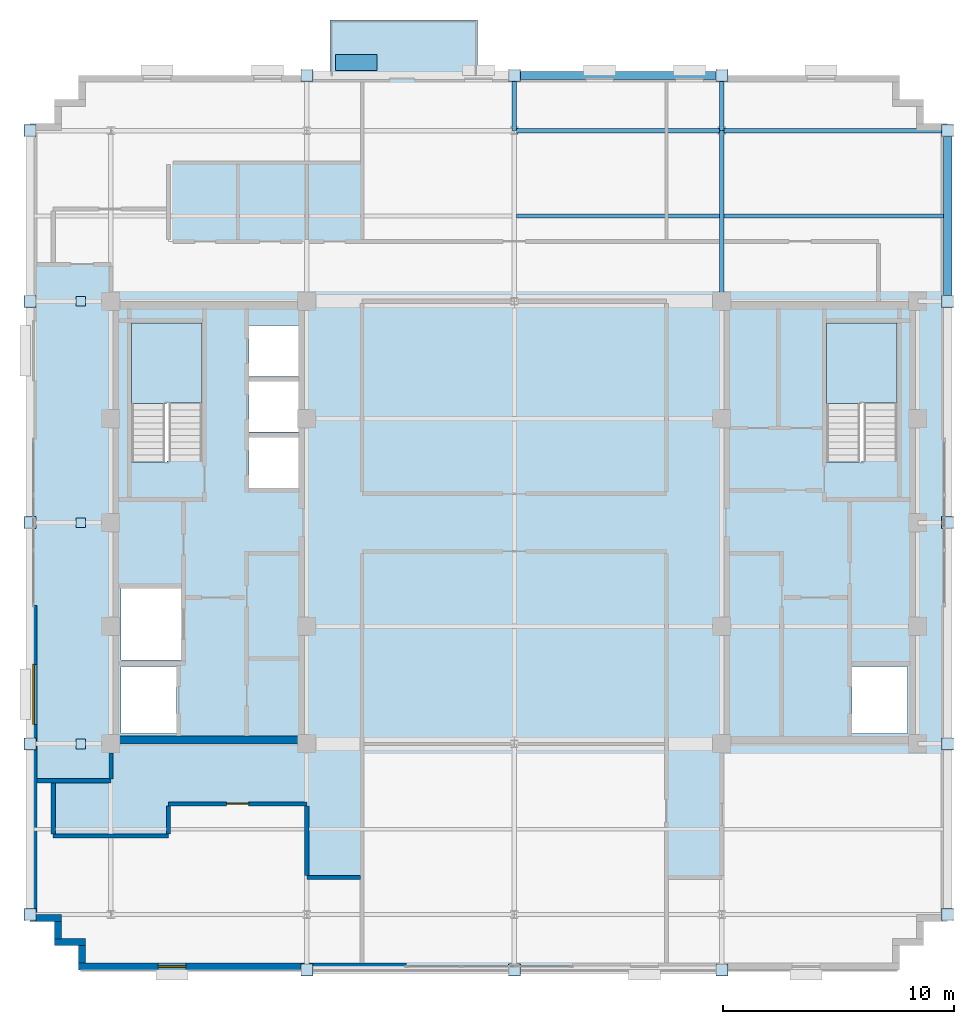
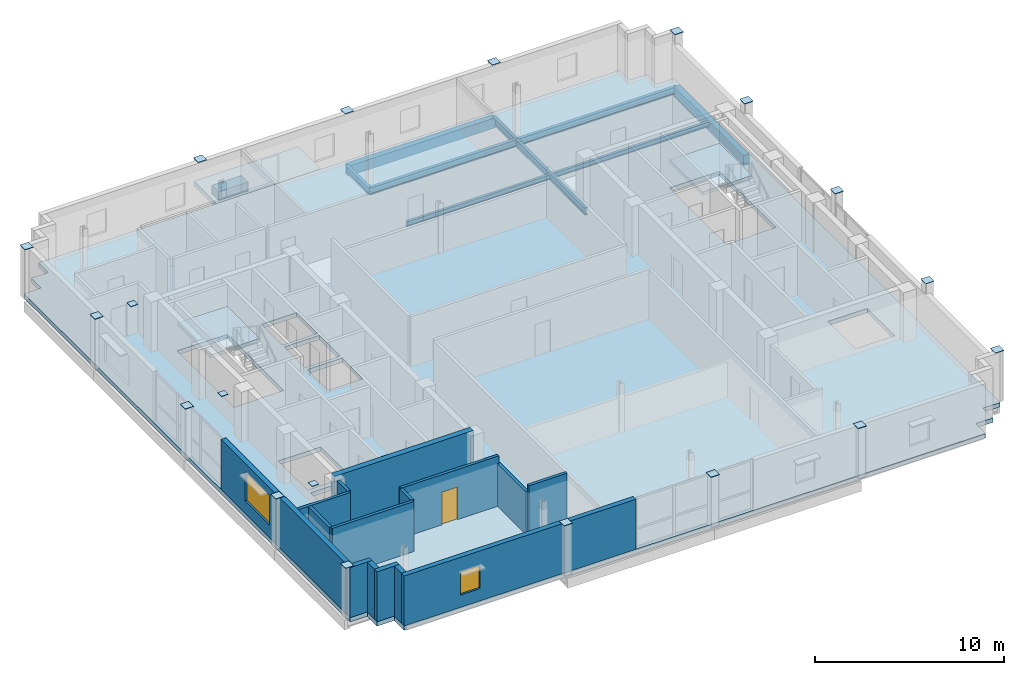
# One storey, part 5 of 15: 20 plates, 15 walls, 9 beams, 4 slabs, 2 windows, 1 door, 3 openings, 2 elements without a shape of their own.
"""IFC4 building model written with IfcOpenShell, lengths in metres."""

import ifcopenshell
import ifcopenshell.guid

model = None  # the IFC model being written
_history = None  # IfcOwnerHistory: only IFC2X3 demands one
_inside = {}  # id of a spatial element -> (the spatial element, [elements in it])
_under = {}  # id of a project, library or spatial element -> (it, [spatial elements below it])
_declared = {}  # id of a project -> (the project, [libraries it declares])
_typed = {}  # id of a type object -> (the type object, [elements of that type])
_made_of = {}  # id of a material, layer set ... -> (it, [elements and type objects made of it])


def new_model(schema):
    """Start an empty IFC model of exactly this schema.

    Asked for "IFC4X3", IfcOpenShell would pick the latest addendum, in which some entities
    have other attributes; the version numbers below select the first issue.
    IFC2X3 requires an IfcOwnerHistory on every rooted entity: one is made here for all.
    """
    global model, _history
    if schema == "IFC4X3":
        model = ifcopenshell.file(schema_version=(4, 3, 0, 0))
    else:
        model = ifcopenshell.file(schema=schema)
    _inside.clear()
    _under.clear()
    _declared.clear()
    _typed.clear()
    _made_of.clear()
    _history = None
    if model.schema == "IFC2X3":
        org = make("IfcOrganization", Name="unknown")
        user = make(
            "IfcPersonAndOrganization",
            ThePerson=make("IfcPerson", FamilyName="unknown"),
            TheOrganization=org,
        )
        app = make(
            "IfcApplication",
            ApplicationDeveloper=org,
            Version="unknown",
            ApplicationFullName="unknown",
            ApplicationIdentifier="unknown",
        )
        _history = make(
            "IfcOwnerHistory",
            OwningUser=user,
            OwningApplication=app,
            ChangeAction="ADDED",
            CreationDate=0,
        )
    return model


def make(cls, **values):
    """One entity of the class cls with the attributes given. An attribute that is None is left unset."""
    return model.create_entity(
        cls, **{name: value for name, value in values.items() if value is not None}
    )


def rooted(cls, **values):
    """An entity with a GlobalId (a new one), such as an element, a storey or a relation."""
    return make(cls, GlobalId=ifcopenshell.guid.new(), OwnerHistory=_history, **values)


def si_unit(unit_type, name, prefix=None):
    """IfcSIUnit, for example si_unit("LENGTHUNIT", "METRE", prefix="MILLI")."""
    return make("IfcSIUnit", UnitType=unit_type, Prefix=prefix, Name=name)


def assignment(units):
    """IfcUnitAssignment: the units of a project."""
    return None if units is None else make("IfcUnitAssignment", Units=units)


def point(xyz):
    """IfcCartesianPoint."""
    return None if xyz is None else make("IfcCartesianPoint", Coordinates=xyz)


def direction(xyz):
    """IfcDirection."""
    return None if xyz is None else make("IfcDirection", DirectionRatios=xyz)


def frame(location, z_axis=None, x_axis=None):
    """IfcAxis2Placement3D, a coordinate frame: its origin and axes. An axis left out is left unset."""
    return make(
        "IfcAxis2Placement3D",
        Location=point(location),
        Axis=direction(z_axis),
        RefDirection=direction(x_axis),
    )


def frame_2d(location, x_axis=None):
    """IfcAxis2Placement2D, a coordinate frame in the plane: its origin and x axis."""
    return make(
        "IfcAxis2Placement2D", Location=point(location), RefDirection=direction(x_axis)
    )


def origin():
    """The frame at (0, 0, 0) with its axes left unset."""
    return frame((0.0, 0.0, 0.0))


def origin_2d():
    """The frame at (0, 0) in the plane with its x axis left unset."""
    return frame_2d((0.0, 0.0))


def place(relative_to, where):
    """IfcLocalPlacement: puts the frame where relative to a parent placement (None: the world)."""
    return make(
        "IfcLocalPlacement", PlacementRelTo=relative_to, RelativePlacement=where
    )


def context(
    kind, dimensions, precision=None, world=None, true_north=None, identifier=None
):
    """IfcGeometricRepresentationContext, for example the 3D "Model" context."""
    return make(
        "IfcGeometricRepresentationContext",
        ContextIdentifier=identifier,
        ContextType=kind,
        CoordinateSpaceDimension=dimensions,
        Precision=precision,
        WorldCoordinateSystem=world,
        TrueNorth=true_north,
    )


def subcontext(parent, identifier, kind, view, scale=None):
    """IfcGeometricRepresentationSubContext, for example "Body" below "Model"."""
    return make(
        "IfcGeometricRepresentationSubContext",
        ContextIdentifier=identifier,
        ContextType=kind,
        ParentContext=parent,
        TargetScale=scale,
        TargetView=view,
    )


def project(units=None, contexts=None):
    """IfcProject with its units and contexts."""
    return rooted(
        "IfcProject",
        Name="project",
        RepresentationContexts=contexts,
        UnitsInContext=assignment(units),
    )


def spatial(cls, under=None, at=None, **own):
    """A site, building, storey or space (cls), placed at a placement, below another one or the project."""
    s = rooted(cls, ObjectPlacement=at, **own)
    if under is not None:
        _under.setdefault(under.id(), (under, []))[1].append(s)
    return s


def polyline(points):
    """IfcPolyline through the points."""
    return make("IfcPolyline", Points=[point(p) for p in points])


def profile(cls, at=None, kind="AREA", **sizes):
    """A parametric profile (cls). Its sizes go by their IFC names, for example OverallWidth=200.0."""
    return make(cls, ProfileType=kind, Position=at, **sizes)


def rectangle(**sizes):
    """IfcRectangleProfileDef."""
    return profile("IfcRectangleProfileDef", **sizes)


def i_section(**sizes):
    """IfcIShapeProfileDef."""
    return profile("IfcIShapeProfileDef", **sizes)


def outline(outer, holes=None, kind="AREA"):
    """IfcArbitraryClosedProfileDef: a profile drawn as a closed curve; with holes, ...WithVoids."""
    if holes is None:
        return make("IfcArbitraryClosedProfileDef", ProfileType=kind, OuterCurve=outer)
    return make(
        "IfcArbitraryProfileDefWithVoids",
        ProfileType=kind,
        OuterCurve=outer,
        InnerCurves=holes,
    )


def extrude(swept, where, along, depth):
    """IfcExtrudedAreaSolid: the profile swept, set in the frame where, extruded along a direction by depth."""
    return make(
        "IfcExtrudedAreaSolid",
        SweptArea=swept,
        Position=where,
        ExtrudedDirection=direction(along),
        Depth=depth,
    )


def shape(context_of_items, identifier, shape_type, items):
    """IfcShapeRepresentation: the items that make up one representation, for example the "Body"."""
    return make(
        "IfcShapeRepresentation",
        ContextOfItems=context_of_items,
        RepresentationIdentifier=identifier,
        RepresentationType=shape_type,
        Items=items,
    )


def source(mapping_origin, context_of_items, identifier, shape_type, items):
    """IfcRepresentationMap: a shape defined once, which mapped items show again and again."""
    return make(
        "IfcRepresentationMap",
        MappingOrigin=mapping_origin,
        MappedRepresentation=shape(context_of_items, identifier, shape_type, items),
    )


def transform(
    local_origin,
    x_axis=None,
    y_axis=None,
    z_axis=None,
    scale=None,
    scale2=None,
    scale3=None,
    uniform=True,
):
    """IfcCartesianTransformationOperator3D, or its non-uniform kind. x_axis, y_axis, z_axis: its Axis1, 2, 3."""
    if uniform:
        return make(
            "IfcCartesianTransformationOperator3D",
            Axis1=direction(x_axis),
            Axis2=direction(y_axis),
            LocalOrigin=point(local_origin),
            Scale=scale,
            Axis3=direction(z_axis),
        )
    return make(
        "IfcCartesianTransformationOperator3DnonUniform",
        Axis1=direction(x_axis),
        Axis2=direction(y_axis),
        LocalOrigin=point(local_origin),
        Scale=scale,
        Axis3=direction(z_axis),
        Scale2=scale2,
        Scale3=scale3,
    )


def mapped(mapping_source, mapping_target):
    """IfcMappedItem: shows the shape of a source again, moved by a transform."""
    return make(
        "IfcMappedItem", MappingSource=mapping_source, MappingTarget=mapping_target
    )


def material(Name=None, Category=None):
    """IfcMaterial."""
    return make("IfcMaterial", Name=Name, Category=Category)


def layer(
    of_material, thickness, ventilated=None, Name=None, Category=None, Priority=None
):
    """IfcMaterialLayer: one layer of a wall or slab, of a material (None: an air gap)."""
    return make(
        "IfcMaterialLayer",
        Material=of_material,
        LayerThickness=thickness,
        IsVentilated=ventilated,
        Name=Name,
        Category=Category,
        Priority=Priority,
    )


def layer_set(layers, Name=None):
    """IfcMaterialLayerSet."""
    return make("IfcMaterialLayerSet", MaterialLayers=layers, LayerSetName=Name)


def material_profile(
    of_material, cross_section, Name=None, Category=None, Priority=None
):
    """IfcMaterialProfile: a cross section and its material."""
    return make(
        "IfcMaterialProfile",
        Name=Name,
        Material=of_material,
        Profile=cross_section,
        Priority=Priority,
        Category=Category,
    )


def profile_set(profiles, Name=None, composite=None):
    """IfcMaterialProfileSet."""
    return make(
        "IfcMaterialProfileSet",
        Name=Name,
        MaterialProfiles=profiles,
        CompositeProfile=composite,
    )


def made_of(thing, what):
    """Note that an element or type object is made of a material, layer set ...; save() writes the relation."""
    if what is not None:
        _made_of.setdefault(what.id(), (what, []))[1].append(thing)
    return thing


def type_object(cls, material=None, **own):
    """A type object (cls), such as IfcWallType, which elements share."""
    return made_of(rooted(cls, **own), material)


def type_shapes(of_type, sources):
    """Give a type object the sources (RepresentationMaps) that its elements show as mapped items."""
    of_type.RepresentationMaps = sources


def element(
    cls,
    number,
    at=None,
    inside=None,
    cuts=None,
    type_object=None,
    material=None,
    context=None,
    identifier="Body",
    shape_type=None,
    held_by="IfcProductDefinitionShape",
    body=None,
    shapes=None,
    **own,
):
    """One element of the class cls, such as IfcWall. Its Tag is "e" and its number.

    at: its placement. inside: the storey or other place that contains it. cuts: it is an
    opening in that element (IfcRelVoidsElement). A single representation is given by context,
    identifier, shape_type and body (its items); several are given by shapes. held_by: the class
    of the entity that holds the representations. save() writes the other relations.
    """
    e = rooted(cls, Tag="e%d" % number, ObjectPlacement=at, **own)
    if body is not None:
        shapes = [shape(context, identifier, shape_type, body)]
    if shapes is not None:
        e.Representation = make(held_by, Representations=shapes)
    if inside is not None:
        _inside.setdefault(inside.id(), (inside, []))[1].append(e)
    if cuts is not None:
        rooted(
            "IfcRelVoidsElement", RelatingBuildingElement=cuts, RelatedOpeningElement=e
        )
    if type_object is not None:
        _typed.setdefault(type_object.id(), (type_object, []))[1].append(e)
    return made_of(e, material)


def fill(opening, filler):
    """IfcRelFillsElement: the door or window that sits in an opening."""
    return rooted(
        "IfcRelFillsElement",
        RelatingOpeningElement=opening,
        RelatedBuildingElement=filler,
    )


def aggregate(whole, parts):
    """IfcRelAggregates: a whole, such as a stair, and the parts it consists of."""
    return rooted("IfcRelAggregates", RelatingObject=whole, RelatedObjects=parts)


def save(model, path):
    """Write the relations noted so far, then the file.

    IfcRelAggregates (storeys below a building ...), IfcRelContainedInSpatialStructure (elements
    in a storey), IfcRelDefinesByType, IfcRelAssociatesMaterial and IfcRelDeclares: one each for
    every whole, place, type object, material and project.
    """
    for whole, parts in _under.values():
        aggregate(whole, parts)
    for where, things in _inside.values():
        rooted(
            "IfcRelContainedInSpatialStructure",
            RelatedElements=things,
            RelatingStructure=where,
        )
    for kind, things in _typed.values():
        rooted("IfcRelDefinesByType", RelatedObjects=things, RelatingType=kind)
    for what, things in _made_of.values():
        rooted("IfcRelAssociatesMaterial", RelatedObjects=things, RelatingMaterial=what)
    for by, libraries in _declared.values():
        rooted("IfcRelDeclares", RelatingContext=by, RelatedDefinitions=libraries)
    model.write(path)


model = new_model("IFC4")

# Units and contexts
model_context = context("Model", 3, precision=1e-05, world=origin(), true_north=direction((0.0, 1.0)))
body_context = subcontext(model_context, "Body", "Model", "MODEL_VIEW")
ifc_project = project(units=[si_unit("LENGTHUNIT", "METRE"), si_unit("AREAUNIT", "SQUARE_METRE"), si_unit("VOLUMEUNIT", "CUBIC_METRE"), si_unit("PLANEANGLEUNIT", "RADIAN"), si_unit("MASSUNIT", "GRAM", prefix="KILO")], contexts=[model_context])

# Site, building, storey
site_placement = place(None, origin())
site = spatial("IfcSite", under=ifc_project, at=site_placement, CompositionType="ELEMENT")
building_placement = place(site_placement, origin())
building = spatial("IfcBuilding", under=site, at=building_placement, Name="Nuvemarco Arch Tower", CompositionType="ELEMENT")
storey_placement = place(building_placement, frame((0.0, 0.0, 283.5)))
storey = spatial("IfcBuildingStorey", under=building, at=storey_placement, Name="L75", CompositionType="ELEMENT", Elevation=283.5)

# Beams
ifc_material_1 = material(Name="Steel S355", Category="steel")
ifc_material_profile_1 = material_profile(ifc_material_1, i_section(OverallWidth=0.19189453125, OverallDepth=0.462890625, WebThickness=0.010498046875, FlangeThickness=0.017578125, FilletRadius=0.014892578125, at=origin_2d()), Name="W460x89")
ifc_profile_set_1 = profile_set([ifc_material_profile_1], Name="Steel S355")
beam_type_1 = type_object("IfcBeamType", Name="BM-GIRD-460", PredefinedType="BEAM", material=ifc_profile_set_1)
beam_1_placement = place(storey_placement, frame((0.0, 17.0, -0.511474609375), z_axis=(0.0, 1.0, 0.0), x_axis=(-1.0, 0.0, 0.0)))
element("IfcBeam", 1, at=beam_1_placement, inside=storey, type_object=beam_type_1, Name="L75 structural beam BGNS_L75_0_+0.0_+17.0", PredefinedType="BEAM", context=body_context, shape_type="SweptSolid", body=[
    extrude(i_section(OverallWidth=0.19189453125, OverallDepth=0.462890625, WebThickness=0.010498046875, FlangeThickness=0.017578125, FilletRadius=0.014892578125, at=origin_2d()), origin(), (0.0, 0.0, 1.0), 2.39990234375),
])
beam_2_placement = place(storey_placement, frame((9.0, 9.60009765625, -0.511474609375), z_axis=(0.0, 1.0, 0.0), x_axis=(-1.0, 0.0, 0.0)))
element("IfcBeam", 2, at=beam_2_placement, inside=storey, type_object=beam_type_1, Name="L75 structural beam BGNS_L75_0_+9.0_+9.6", PredefinedType="BEAM", context=body_context, shape_type="SweptSolid", body=[
    extrude(i_section(OverallWidth=0.19189453125, OverallDepth=0.462890625, WebThickness=0.010498046875, FlangeThickness=0.017578125, FilletRadius=0.014892578125, at=origin_2d()), origin(), (0.0, 0.0, 1.0), 7.39990234375),
])
beam_3_placement = place(storey_placement, frame((9.0, 17.0, -0.511474609375), z_axis=(0.0, 1.0, 0.0), x_axis=(-1.0, 0.0, 0.0)))
element("IfcBeam", 3, at=beam_3_placement, inside=storey, type_object=beam_type_1, Name="L75 structural beam BGNS_L75_0_+9.0_+17.0", PredefinedType="BEAM", context=body_context, shape_type="SweptSolid", body=[
    extrude(i_section(OverallWidth=0.19189453125, OverallDepth=0.462890625, WebThickness=0.010498046875, FlangeThickness=0.017578125, FilletRadius=0.014892578125, at=origin_2d()), origin(), (0.0, 0.0, 1.0), 2.39990234375),
])
beam_4_placement = place(storey_placement, frame((0.0, 17.0, -0.511474609375), z_axis=(1.0, 0.0, 0.0), x_axis=(0.0, 1.0, 0.0)))
element("IfcBeam", 4, at=beam_4_placement, inside=storey, type_object=beam_type_1, Name="L75 structural beam BGEW_L75_0_+17.0_+0.0", PredefinedType="BEAM", context=body_context, shape_type="SweptSolid", body=[
    extrude(i_section(OverallWidth=0.19189453125, OverallDepth=0.462890625, WebThickness=0.010498046875, FlangeThickness=0.017578125, FilletRadius=0.014892578125, at=origin_2d()), origin(), (0.0, 0.0, 1.0), 9.0),
])
beam_5_placement = place(storey_placement, frame((9.0, 17.0, -0.511474609375), z_axis=(1.0, 0.0, 0.0), x_axis=(0.0, 1.0, 0.0)))
element("IfcBeam", 5, at=beam_5_placement, inside=storey, type_object=beam_type_1, Name="L75 structural beam BGEW_L75_0_+17.0_+9.0", PredefinedType="BEAM", context=body_context, shape_type="SweptSolid", body=[
    extrude(i_section(OverallWidth=0.19189453125, OverallDepth=0.462890625, WebThickness=0.010498046875, FlangeThickness=0.017578125, FilletRadius=0.014892578125, at=origin_2d()), origin(), (0.0, 0.0, 1.0), 9.800048828125),
])
ifc_material_profile_2 = material_profile(ifc_material_1, i_section(OverallWidth=0.1669921875, OverallDepth=0.31689453125, WebThickness=0.007568359375, FlangeThickness=0.01318359375, FilletRadius=0.010009765625, at=origin_2d()), Name="W310x52")
ifc_profile_set_2 = profile_set([ifc_material_profile_2], Name="Steel S355")
beam_type_2 = type_object("IfcBeamType", Name="BM-JOIST-310", PredefinedType="JOIST", material=ifc_profile_set_2)
beam_6_placement = place(storey_placement, frame((0.095947265625, 13.300048828125, -0.4384765625), z_axis=(1.0, 0.0, 0.0), x_axis=(0.0, 1.0, 0.0)))
element("IfcBeam", 6, at=beam_6_placement, inside=storey, type_object=beam_type_2, Name="L75 structural beam BJ_L75_0_+13.3_+0.0", PredefinedType="JOIST", context=body_context, shape_type="SweptSolid", body=[
    extrude(i_section(OverallWidth=0.1669921875, OverallDepth=0.31689453125, WebThickness=0.007568359375, FlangeThickness=0.01318359375, FilletRadius=0.010009765625, at=origin_2d()), origin(), (0.0, 0.0, 1.0), 8.80810546875),
])
beam_7_placement = place(storey_placement, frame((9.095947265625, 13.300048828125, -0.4384765625), z_axis=(1.0, 0.0, 0.0), x_axis=(0.0, 1.0, 0.0)))
element("IfcBeam", 7, at=beam_7_placement, inside=storey, type_object=beam_type_2, Name="L75 structural beam BJ_L75_0_+13.3_+9.0", PredefinedType="JOIST", context=body_context, shape_type="SweptSolid", body=[
    extrude(i_section(OverallWidth=0.1669921875, OverallDepth=0.31689453125, WebThickness=0.007568359375, FlangeThickness=0.01318359375, FilletRadius=0.010009765625, at=origin_2d()), origin(), (0.0, 0.0, 1.0), 9.529052734375),
])
ifc_material_2 = material(Name="Precast concrete C45/55", Category="concrete")
ifc_material_profile_3 = material_profile(ifc_material_2, rectangle(XDim=0.35009765625, YDim=0.64990234375, at=origin_2d()), Name="PC-SP-350x650")
ifc_profile_set_3 = profile_set([ifc_material_profile_3], Name="Precast concrete C45/55")
beam_type_3 = type_object("IfcBeamType", Name="BM-SPAN-RC", PredefinedType="SPANDREL", material=ifc_profile_set_3)
beam_8_placement = place(storey_placement, frame((18.800048828125, 9.60009765625, -0.60498046875), z_axis=(0.0, 1.0, 0.0), x_axis=(-1.0, 0.0, 0.0)))
element("IfcBeam", 8, at=beam_8_placement, inside=storey, type_object=beam_type_3, Name="L75 structural beam BGNS_L75_0_+18.8_+9.6", PredefinedType="SPANDREL", context=body_context, shape_type="SweptSolid", body=[
    extrude(rectangle(XDim=0.35009765625, YDim=0.64990234375, at=origin_2d()), origin(), (0.0, 0.0, 1.0), 7.39990234375),
])
beam_9_placement = place(storey_placement, frame((0.0, 19.39990234375, -0.60498046875), z_axis=(1.0, 0.0, 0.0), x_axis=(0.0, 1.0, 0.0)))
element("IfcBeam", 9, at=beam_9_placement, inside=storey, type_object=beam_type_3, Name="L75 structural beam BGEW_L75_0_+19.4_+0.0", PredefinedType="SPANDREL", context=body_context, shape_type="SweptSolid", body=[
    extrude(rectangle(XDim=0.35009765625, YDim=0.64990234375, at=origin_2d()), origin(), (0.0, 0.0, 1.0), 9.0),
])

# Slab
ifc_material_3 = material(Name="Concrete C50/60", Category="concrete")
ifc_layer_1 = layer(ifc_material_3, 0.280029296875, Name="SL-FLR-280")
ifc_layer_set_1 = layer_set([ifc_layer_1], Name="Concrete C50/60")
slab_type_1 = type_object("IfcSlabType", Name="SL-FLR-280", PredefinedType="FLOOR", material=ifc_layer_set_1)
slab_1_placement = place(storey_placement, frame((0.0, 0.0, -0.280029296875)))
element("IfcSlab", 10, at=slab_1_placement, inside=storey, type_object=slab_type_1, Name="L75 structural floor slab", PredefinedType="FLOOR", context=body_context, shape_type="SweptSolid", body=[
    extrude(outline(polyline([(-18.89990234375, -19.39990234375), (16.699951171875, -19.39990234375), (16.699951171875, -18.35009765625), (17.75, -18.35009765625), (17.75, -17.300048828125), (18.800048828125, -17.300048828125), (18.800048828125, 17.300048828125), (17.75, 17.300048828125), (17.75, 18.35009765625), (16.699951171875, 18.35009765625), (16.699951171875, 19.39990234375), (-18.89990234375, 19.39990234375), (-18.89990234375, 18.35009765625), (-19.949951171875, 18.35009765625), (-19.949951171875, 17.300048828125), (-21.0, 17.300048828125), (-21.0, -17.300048828125), (-19.949951171875, -17.300048828125), (-19.949951171875, -18.35009765625), (-18.89990234375, -18.35009765625), (-18.89990234375, -19.39990234375)]), holes=[polyline([(-13.5400390625, 2.669921875), (-13.5400390625, 8.64990234375), (-16.60009765625, 8.64990234375), (-16.60009765625, 2.630615234375), (-15.070068359375, 2.630615234375), (-15.070068359375, 2.669921875), (-13.5400390625, 2.669921875)]), polyline([(16.60009765625, 2.669921875), (16.60009765625, 8.64990234375), (13.5400390625, 8.64990234375), (13.5400390625, 2.630615234375), (15.070068359375, 2.630615234375), (15.070068359375, 2.669921875), (16.60009765625, 2.669921875)]), polyline([(-17.050048828125, -9.14990234375), (-14.64990234375, -9.14990234375), (-14.64990234375, -6.25), (-17.050048828125, -6.25), (-17.050048828125, -9.14990234375)]), polyline([(-17.050048828125, -5.949951171875), (-14.449951171875, -5.949951171875), (-14.449951171875, -2.85009765625), (-17.050048828125, -2.85009765625), (-17.050048828125, -5.949951171875)]), polyline([(-11.5, 1.5), (-9.35009765625, 1.5), (-9.35009765625, 3.699951171875), (-11.5, 3.699951171875), (-11.5, 1.5)]), polyline([(-11.5, 3.919921875), (-9.35009765625, 3.919921875), (-9.35009765625, 6.1201171875), (-11.5, 6.1201171875), (-11.5, 3.919921875)]), polyline([(-11.5, 6.340087890625), (-9.35009765625, 6.340087890625), (-9.35009765625, 8.5400390625), (-11.5, 8.5400390625), (-11.5, 6.340087890625)]), polyline([(14.64990234375, -9.14990234375), (17.050048828125, -9.14990234375), (17.050048828125, -6.25), (14.64990234375, -6.25), (14.64990234375, -9.14990234375)])]), origin(), (0.0, 0.0, 1.0), 0.280029296875),
])

# Stair, slab
stair_type = type_object("IfcStairType", Name="ST-CORE-20R", PredefinedType="HALF_TURN_STAIR", material=ifc_material_2)
stair_1_placement = place(storey_placement, origin())
stair_1 = element("IfcStair", 11, at=stair_1_placement, inside=storey, type_object=stair_type, Name="L75 Protected Exit Stair ST-1", PredefinedType="HALF_TURN_STAIR")
ifc_layer_2 = layer(ifc_material_2, 0.199951171875, Name="SL-LANDING-200")
ifc_layer_set_2 = layer_set([ifc_layer_2], Name="Precast concrete C45/55")
slab_type_2 = type_object("IfcSlabType", Name="SL-LANDING-200", PredefinedType="LANDING", material=ifc_layer_set_2)
slab_2_placement = place(storey_placement, frame((0.0, 0.0, 1.625)))
slab_2 = element("IfcSlab", 12, at=slab_2_placement, type_object=slab_type_2, Name="ST-20R landing 1", PredefinedType="LANDING", context=body_context, shape_type="SweptSolid", body=[
    extrude(outline(polyline([(-13.5400390625, 5.189453125), (-13.5400390625, 8.64990234375), (-16.60009765625, 8.64990234375), (-16.60009765625, 5.169921875), (-15.070068359375, 5.169921875), (-15.070068359375, 5.189453125), (-13.5400390625, 5.189453125)])), origin(), (0.0, 0.0, 1.0), 0.199951171875),
])
aggregate(stair_1, [slab_2])

stair_2_placement = place(storey_placement, origin())
stair_2 = element("IfcStair", 13, at=stair_2_placement, inside=storey, type_object=stair_type, Name="L75 Protected Exit Stair ST-2", PredefinedType="HALF_TURN_STAIR")
slab_3_placement = place(storey_placement, frame((0.0, 0.0, 1.625)))
slab_3 = element("IfcSlab", 14, at=slab_3_placement, type_object=slab_type_2, Name="ST-20R landing 1", PredefinedType="LANDING", context=body_context, shape_type="SweptSolid", body=[
    extrude(outline(polyline([(16.60009765625, 5.189453125), (16.60009765625, 8.64990234375), (13.5400390625, 8.64990234375), (13.5400390625, 5.169921875), (15.070068359375, 5.169921875), (15.070068359375, 5.189453125), (16.60009765625, 5.189453125)])), origin(), (0.0, 0.0, 1.0), 0.199951171875),
])
aggregate(stair_2, [slab_3])

# Slab
ifc_layer_3 = layer(ifc_material_3, 0.294921875, Name="SL-TR4")
ifc_layer_set_3 = layer_set([ifc_layer_3], Name="Concrete C50/60")
slab_type_3 = type_object("IfcSlabType", Name="SL-TR4", PredefinedType="FLOOR", material=ifc_layer_set_3)
slab_4_placement = place(storey_placement, frame((0.0, 0.0, -0.294921875)))
element("IfcSlab", 15, at=slab_4_placement, inside=storey, type_object=slab_type_3, Name="L75 outdoor spiral terrace slab 1", PredefinedType="FLOOR", context=body_context, shape_type="SweptSolid", body=[
    extrude(outline(polyline([(-8.0, 19.39990234375), (-1.60009765625, 19.39990234375), (-1.60009765625, 21.800048828125), (-8.0, 21.800048828125), (-8.0, 19.39990234375)])), origin(), (0.0, 0.0, 1.0), 0.294921875),
])

# Plates
ifc_layer_4 = layer(ifc_material_1, 0.030029296875, Name="PL-CAP-400-EXT")
ifc_layer_set_4 = layer_set([ifc_layer_4], Name="Steel S355")
plate_type_1 = type_object("IfcPlateType", Name="PL-CAP-400-EXT", PredefinedType="SHEET", material=ifc_layer_set_4)
shared_shape_1 = source(origin(), body_context, "Body", "SweptSolid", [
    extrude(rectangle(XDim=0.419921875, YDim=0.419921875, at=origin_2d()), origin(), (0.0, 0.0, 1.0), 0.030029296875),
])
type_shapes(plate_type_1, [shared_shape_1])
for number, where, z_axis, x_axis, name in (
    (16, (-18.800048828125, -9.60009765625, 3.23486328125), (0.0, 0.0, 1.0), (1.0, 0.0, 0.0), "Hollow steel end-cap plate COL-L76-CX_-18.8_-9.6_BOT"),
    (17, (-18.800048828125, 0.0, 3.23486328125), (0.0, 0.0, 1.0), (1.0, 0.0, 0.0), "Hollow steel end-cap plate COL-L76-CX_-18.8_+0.0_BOT"),
    (18, (-18.800048828125, 9.60009765625, 3.23486328125), (0.0, 0.0, 1.0), (1.0, 0.0, 0.0), "Hollow steel end-cap plate COL-L76-CX_-18.8_+9.6_BOT"),
):
    element("IfcPlate", number, at=place(storey_placement, frame(where, z_axis=z_axis, x_axis=x_axis)), inside=storey, type_object=plate_type_1, Name=name, PredefinedType="SHEET", context=body_context, shape_type="MappedRepresentation", body=[
        mapped(shared_shape_1, transform((0.0, 0.0, 0.0), scale=1.0)),
    ])
ifc_layer_5 = layer(ifc_material_1, 0.030029296875, Name="PL-CAP-500-EXT")
ifc_layer_set_5 = layer_set([ifc_layer_5], Name="Steel S355")
plate_type_2 = type_object("IfcPlateType", Name="PL-CAP-500-EXT", PredefinedType="SHEET", material=ifc_layer_set_5)
shared_shape_2 = source(origin(), body_context, "Body", "SweptSolid", [
    extrude(rectangle(XDim=0.52001953125, YDim=0.52001953125, at=origin_2d()), origin(), (0.0, 0.0, 1.0), 0.030029296875),
])
type_shapes(plate_type_2, [shared_shape_2])
for number, where, z_axis, x_axis, name in (
    (19, (-21.0, -17.0, 3.23486328125), (0.0, 0.0, 1.0), (1.0, 0.0, 0.0), "Hollow steel end-cap plate COL-L75-CX_-21.0_-17.0_TOP"),
    (20, (-21.0, -9.60009765625, 3.23486328125), (0.0, 0.0, 1.0), (1.0, 0.0, 0.0), "Hollow steel end-cap plate COL-L75-CX_-21.0_-9.6_TOP"),
    (21, (-21.0, 0.0, 3.23486328125), (0.0, 0.0, 1.0), (1.0, 0.0, 0.0), "Hollow steel end-cap plate COL-L75-CX_-21.0_+0.0_TOP"),
    (22, (-21.0, 9.60009765625, 3.23486328125), (0.0, 0.0, 1.0), (1.0, 0.0, 0.0), "Hollow steel end-cap plate COL-L75-CX_-21.0_+9.6_TOP"),
    (23, (-21.0, 17.0, 3.23486328125), (0.0, 0.0, 1.0), (1.0, 0.0, 0.0), "Hollow steel end-cap plate COL-L75-CX_-21.0_+17.0_TOP"),
    (24, (18.800048828125, -17.0, 3.23486328125), (0.0, 0.0, 1.0), (1.0, 0.0, 0.0), "Hollow steel end-cap plate COL-L75-CX_+18.8_-17.0_TOP"),
    (25, (18.800048828125, -9.60009765625, 3.23486328125), (0.0, 0.0, 1.0), (1.0, 0.0, 0.0), "Hollow steel end-cap plate COL-L75-CX_+18.8_-9.6_TOP"),
    (26, (18.800048828125, 0.0, 3.23486328125), (0.0, 0.0, 1.0), (1.0, 0.0, 0.0), "Hollow steel end-cap plate COL-L75-CX_+18.8_+0.0_TOP"),
    (27, (18.800048828125, 9.60009765625, 3.23486328125), (0.0, 0.0, 1.0), (1.0, 0.0, 0.0), "Hollow steel end-cap plate COL-L75-CX_+18.8_+9.6_TOP"),
    (28, (18.800048828125, 17.0, 3.23486328125), (0.0, 0.0, 1.0), (1.0, 0.0, 0.0), "Hollow steel end-cap plate COL-L75-CX_+18.8_+17.0_TOP"),
    (29, (-9.0, -19.39990234375, 3.23486328125), (0.0, 0.0, 1.0), (1.0, 0.0, 0.0), "Hollow steel end-cap plate COL-L75-CY_-9.0_-19.4_TOP"),
    (30, (0.0, -19.39990234375, 3.23486328125), (0.0, 0.0, 1.0), (1.0, 0.0, 0.0), "Hollow steel end-cap plate COL-L75-CY_+0.0_-19.4_TOP"),
    (31, (9.0, -19.39990234375, 3.23486328125), (0.0, 0.0, 1.0), (1.0, 0.0, 0.0), "Hollow steel end-cap plate COL-L75-CY_+9.0_-19.4_TOP"),
    (32, (-9.0, 19.39990234375, 3.23486328125), (0.0, 0.0, 1.0), (1.0, 0.0, 0.0), "Hollow steel end-cap plate COL-L75-CY_-9.0_+19.4_TOP"),
    (33, (0.0, 19.39990234375, 3.23486328125), (0.0, 0.0, 1.0), (1.0, 0.0, 0.0), "Hollow steel end-cap plate COL-L75-CY_+0.0_+19.4_TOP"),
    (34, (9.0, 19.39990234375, 3.23486328125), (0.0, 0.0, 1.0), (1.0, 0.0, 0.0), "Hollow steel end-cap plate COL-L75-CY_+9.0_+19.4_TOP"),
):
    element("IfcPlate", number, at=place(storey_placement, frame(where, z_axis=z_axis, x_axis=x_axis)), inside=storey, type_object=plate_type_2, Name=name, PredefinedType="SHEET", context=body_context, shape_type="MappedRepresentation", body=[
        mapped(shared_shape_2, transform((0.0, 0.0, 0.0), scale=1.0)),
    ])
ifc_layer_6 = layer(ifc_material_2, 0.550048828125, Name="Tree Balcony Structural Planter")
ifc_layer_set_6 = layer_set([ifc_layer_6], Name="Precast concrete C45/55")
plate_type_3 = type_object("IfcPlateType", Name="Tree Balcony Structural Planter", PredefinedType="USERDEFINED", material=ifc_layer_set_6)
shared_shape_3 = source(origin(), body_context, "Body", "SweptSolid", [
    extrude(rectangle(XDim=1.800048828125, YDim=0.699951171875, at=origin_2d()), origin(), (0.0, 0.0, 1.0), 0.550048828125),
])
type_shapes(plate_type_3, [shared_shape_3])
plate_placement = place(storey_placement, frame((-6.85009765625, 19.949951171875, 0.0), z_axis=(0.0, 0.0, 1.0), x_axis=(1.0, 0.0, 0.0)))
element("IfcPlate", 35, at=plate_placement, inside=storey, type_object=plate_type_3, Name="L75 Tree Balcony Structural Planter", ObjectType="PLANTER", PredefinedType="USERDEFINED", context=body_context, shape_type="MappedRepresentation", body=[
    mapped(shared_shape_3, transform((0.0, 0.0, 0.0), scale=1.0)),
])

# Wall, opening, window
ifc_layer_7 = layer(ifc_material_2, 0.300048828125, Name="EW-HIGH-300")
ifc_layer_set_7 = layer_set([ifc_layer_7], Name="Precast concrete C45/55")
wall_type_1 = type_object("IfcWallType", Name="EW-HIGH-300", PredefinedType="STANDARD", material=ifc_layer_set_7)
wall_1_placement = place(storey_placement, frame((-18.89990234375, -19.25, 0.0), z_axis=(0.0, 0.0, 1.0), x_axis=(1.0, 0.0, 0.0)))
wall_1 = element("IfcWall", 36, at=wall_1_placement, inside=storey, type_object=wall_type_1, Name="L75 exterior precast pier wall south left", PredefinedType="STANDARD", context=body_context, shape_type="SweptSolid", body=[
    extrude(rectangle(XDim=14.199951171875, YDim=0.300048828125, at=frame_2d((7.10009765625, 0.0))), origin(), (0.0, 0.0, 1.0), 3.239990234375),
])
opening_1_placement = place(wall_1_placement, frame((3.449951171875, 0.0, 0.800048828125)))
opening_1 = element("IfcOpeningElement", 37, at=opening_1_placement, cuts=wall_1, Name="Opening WN-8", PredefinedType="OPENING", context=body_context, shape_type="SweptSolid", body=[
    extrude(rectangle(XDim=1.199951171875, YDim=1.47998046875, at=frame_2d((0.60009765625, 0.739990234375))), frame((0.0, 0.159912109375, 0.0), z_axis=(0.0, -1.0, 0.0), x_axis=(1.0, 0.0, 0.0)), (0.0, 0.0, 1.0), 0.320068359375),
])
ifc_material_4 = material(Name="Insulated solar-control glass", Category="glass")
window_type_1 = type_object("IfcWindowType", Name="WN-HIGH-1200x1480", PartitioningType="SINGLE_PANEL", PredefinedType="WINDOW", material=ifc_material_4)
shared_shape_4 = source(origin(), body_context, "Body", "SweptSolid", [
    extrude(rectangle(XDim=1.199951171875, YDim=1.47998046875, at=frame_2d((0.60009765625, 0.739990234375))), frame((0.0, 0.030029296875, 0.0), z_axis=(0.0, -1.0, 0.0), x_axis=(1.0, 0.0, 0.0)), (0.0, 0.0, 1.0), 0.06005859375),
])
type_shapes(window_type_1, [shared_shape_4])
window_1_placement = place(opening_1_placement, origin())
window_1 = element("IfcWindow", 38, at=window_1_placement, inside=storey, type_object=window_type_1, Name="L75 punched facade window 1", OverallHeight=1.47998046875, OverallWidth=1.199951171875, PartitioningType="SINGLE_PANEL", PredefinedType="WINDOW", context=body_context, shape_type="MappedRepresentation", body=[
    mapped(shared_shape_4, transform((0.0, 0.0, 0.0), scale=1.0)),
])
fill(opening_1, window_1)

wall_2_placement = place(storey_placement, frame((-20.85009765625, -17.00390625, 0.0), z_axis=(0.0, 0.0, 1.0), x_axis=(0.0, 1.0, 0.0)))
wall_2 = element("IfcWall", 39, at=wall_2_placement, inside=storey, type_object=wall_type_1, Name="L75 exterior precast pier wall west left", PredefinedType="STANDARD", context=body_context, shape_type="SweptSolid", body=[
    extrude(rectangle(XDim=13.40380859375, YDim=0.300048828125, at=frame_2d((6.701904296875, 0.0))), origin(), (0.0, 0.0, 1.0), 3.239990234375),
])
opening_2_placement = place(wall_2_placement, frame((8.2529296875, 0.0, 0.800048828125)))
opening_2 = element("IfcOpeningElement", 40, at=opening_2_placement, cuts=wall_2, Name="Opening WN-9", PredefinedType="OPENING", context=body_context, shape_type="SweptSolid", body=[
    extrude(rectangle(XDim=2.60009765625, YDim=1.89990234375, at=frame_2d((1.300048828125, 0.949951171875))), frame((0.0, 0.159912109375, 0.0), z_axis=(0.0, -1.0, 0.0), x_axis=(1.0, 0.0, 0.0)), (0.0, 0.0, 1.0), 0.320068359375),
])
window_type_2 = type_object("IfcWindowType", Name="WN-OBS-2600x1900", PartitioningType="TRIPLE_PANEL_VERTICAL", PredefinedType="WINDOW", material=ifc_material_4)
shared_shape_5 = source(origin(), body_context, "Body", "SweptSolid", [
    extrude(rectangle(XDim=2.60009765625, YDim=1.89990234375, at=frame_2d((1.300048828125, 0.949951171875))), frame((0.0, 0.030029296875, 0.0), z_axis=(0.0, -1.0, 0.0), x_axis=(1.0, 0.0, 0.0)), (0.0, 0.0, 1.0), 0.06005859375),
])
type_shapes(window_type_2, [shared_shape_5])
window_2_placement = place(opening_2_placement, origin())
window_2 = element("IfcWindow", 41, at=window_2_placement, inside=storey, type_object=window_type_2, Name="L75 punched facade window 2", OverallHeight=1.89990234375, OverallWidth=2.60009765625, PartitioningType="SINGLE_PANEL", PredefinedType="WINDOW", context=body_context, shape_type="MappedRepresentation", body=[
    mapped(shared_shape_5, transform((0.0, 0.0, 0.0), scale=1.0)),
])
fill(opening_2, window_2)

# Walls
wall_3_placement = place(storey_placement, frame((-21.0, -17.14990234375, 0.0), z_axis=(0.0, 0.0, 1.0), x_axis=(1.0, 0.0, 0.0)))
element("IfcWall", 42, at=wall_3_placement, inside=storey, type_object=wall_type_1, Name="L75 exterior precast facade wall 17", PredefinedType="STANDARD", context=body_context, shape_type="SweptSolid", body=[
    extrude(rectangle(XDim=1.35009765625, YDim=0.300048828125, at=frame_2d((0.675048828125, 0.0))), origin(), (0.0, 0.0, 1.0), 3.239990234375),
])
wall_4_placement = place(storey_placement, frame((-19.800048828125, -18.053955078125, 0.0), z_axis=(0.0, 0.0, 1.0), x_axis=(0.0, 1.0, 0.0)))
element("IfcWall", 43, at=wall_4_placement, inside=storey, type_object=wall_type_1, Name="L75 exterior precast facade wall 18", PredefinedType="STANDARD", context=body_context, shape_type="SweptSolid", body=[
    extrude(rectangle(XDim=0.758056640625, YDim=0.300048828125, at=frame_2d((0.37890625, 0.0))), origin(), (0.0, 0.0, 1.0), 3.239990234375),
])
wall_5_placement = place(storey_placement, frame((-19.949951171875, -18.199951171875, 0.0), z_axis=(0.0, 0.0, 1.0), x_axis=(1.0, 0.0, 0.0)))
element("IfcWall", 44, at=wall_5_placement, inside=storey, type_object=wall_type_1, Name="L75 exterior precast facade wall 19", PredefinedType="STANDARD", context=body_context, shape_type="SweptSolid", body=[
    extrude(rectangle(XDim=1.349853515625, YDim=0.300048828125, at=frame_2d((0.6748046875, 0.0))), origin(), (0.0, 0.0, 1.0), 3.239990234375),
])
wall_6_placement = place(storey_placement, frame((-18.75, -19.10400390625, 0.0), z_axis=(0.0, 0.0, 1.0), x_axis=(0.0, 1.0, 0.0)))
element("IfcWall", 45, at=wall_6_placement, inside=storey, type_object=wall_type_1, Name="L75 exterior precast facade wall 20", PredefinedType="STANDARD", context=body_context, shape_type="SweptSolid", body=[
    extrude(rectangle(XDim=0.758056640625, YDim=0.300048828125, at=frame_2d((0.37890625, 0.0))), origin(), (0.0, 0.0, 1.0), 3.239990234375),
])
ifc_layer_8 = layer(ifc_material_3, 0.35009765625, Name="WL-CORE-350")
ifc_layer_set_8 = layer_set([ifc_layer_8], Name="Concrete C50/60")
wall_type_2 = type_object("IfcWallType", Name="WL-CORE-350", PredefinedType="SHEAR", material=ifc_layer_set_8)
wall_7_placement = place(storey_placement, frame((-17.5, -9.425048828125, 0.0), z_axis=(0.0, 0.0, 1.0), x_axis=(1.0, 0.0, 0.0)))
element("IfcWall", 46, at=wall_7_placement, inside=storey, type_object=wall_type_2, Name="L75 W-core shear wall S", PredefinedType="SHEAR", context=body_context, shape_type="SweptSolid", body=[
    extrude(rectangle(XDim=8.5, YDim=0.35009765625, at=frame_2d((4.25, 0.0))), origin(), (0.0, 0.0, 1.0), 3.25),
])
ifc_material_5 = material(Name="Fire-rated gypsum drywall partition")
ifc_layer_9 = layer(ifc_material_5, 0.179931640625, Name="WL-CORR-180")
ifc_layer_set_9 = layer_set([ifc_layer_9], Name="Fire-rated gypsum drywall partition")
wall_type_3 = type_object("IfcWallType", Name="WL-CORR-180", PredefinedType="PARTITIONING", material=ifc_layer_set_9)
wall_8_placement = place(storey_placement, frame((-9.0, -15.39990234375, 0.0), z_axis=(0.0, 0.0, 1.0), x_axis=(1.0, 0.0, 0.0)))
element("IfcWall", 47, at=wall_8_placement, inside=storey, type_object=wall_type_3, Name="L75 interior wall IW-L75-001", PredefinedType="PARTITIONING", context=body_context, shape_type="SweptSolid", body=[
    extrude(rectangle(XDim=2.339111328125, YDim=0.179931640625, at=frame_2d((1.16943359375, 0.0))), origin(), (0.0, 0.0, 1.0), 3.239990234375),
])
wall_9_placement = place(storey_placement, frame((-20.0, -13.60009765625, 0.0), z_axis=(0.0, 0.0, 1.0), x_axis=(1.0, 0.0, 0.0)))
element("IfcWall", 48, at=wall_9_placement, inside=storey, type_object=wall_type_3, Name="L75 interior wall IW-L75-003", PredefinedType="PARTITIONING", context=body_context, shape_type="SweptSolid", body=[
    extrude(rectangle(XDim=5.0, YDim=0.179931640625, at=frame_2d((2.5, 0.0))), origin(), (0.0, 0.0, 1.0), 3.239990234375),
])

# Wall, opening, door
wall_10_placement = place(storey_placement, frame((-15.0, -12.199951171875, 0.0), z_axis=(0.0, 0.0, 1.0), x_axis=(1.0, 0.0, 0.0)))
wall_10 = element("IfcWall", 49, at=wall_10_placement, inside=storey, type_object=wall_type_3, Name="L75 interior wall IW-L75-004", PredefinedType="PARTITIONING", context=body_context, shape_type="SweptSolid", body=[
    extrude(rectangle(XDim=6.0, YDim=0.179931640625, at=frame_2d((3.0, 0.0))), origin(), (0.0, 0.0, 1.0), 3.239990234375),
])
opening_3_placement = place(wall_10_placement, frame((2.52001953125, 0.0, 0.0)))
opening_3 = element("IfcOpeningElement", 50, at=opening_3_placement, cuts=wall_10, Name="Opening FD-5", PredefinedType="OPENING", context=body_context, shape_type="SweptSolid", body=[
    extrude(rectangle(XDim=0.9599609375, YDim=2.10009765625, at=frame_2d((0.47998046875, 1.050048828125))), frame((0.0, 0.099853515625, 0.0), z_axis=(0.0, -1.0, 0.0), x_axis=(1.0, 0.0, 0.0)), (0.0, 0.0, 1.0), 0.199951171875),
])
ifc_material_6 = material(Name="Timber fire door", Category="wood")
door_type = type_object("IfcDoorType", Name="DR-CORR-FD", OperationType="NOTDEFINED", PredefinedType="DOOR", material=ifc_material_6)
shared_shape_6 = source(origin(), body_context, "Body", "SweptSolid", [
    extrude(rectangle(XDim=0.9599609375, YDim=2.10009765625, at=frame_2d((0.47998046875, 1.050048828125))), frame((0.0, 0.02490234375, 0.0), z_axis=(0.0, -1.0, 0.0), x_axis=(1.0, 0.0, 0.0)), (0.0, 0.0, 1.0), 0.050048828125),
])
type_shapes(door_type, [shared_shape_6])
door_placement = place(opening_3_placement, origin())
door = element("IfcDoor", 51, at=door_placement, inside=storey, type_object=door_type, Name="L75 door DR-L75-OBS_SW", OperationType="SINGLE_SWING_LEFT", OverallHeight=2.10009765625, OverallWidth=0.9599609375, PredefinedType="DOOR", context=body_context, shape_type="MappedRepresentation", body=[
    mapped(shared_shape_6, transform((0.0, 0.0, 0.0), scale=1.0)),
])
fill(opening_3, door)

# Walls
wall_11_placement = place(storey_placement, frame((-20.699951171875, -11.199951171875, 0.0), z_axis=(0.0, 0.0, 1.0), x_axis=(1.0, 0.0, 0.0)))
element("IfcWall", 52, at=wall_11_placement, inside=storey, type_object=wall_type_3, Name="L75 interior wall IW-L75-005", PredefinedType="PARTITIONING", context=body_context, shape_type="SweptSolid", body=[
    extrude(rectangle(XDim=3.199951171875, YDim=0.179931640625, at=frame_2d((1.60009765625, 0.0))), origin(), (0.0, 0.0, 1.0), 3.239990234375),
])
wall_12_placement = place(storey_placement, frame((-20.0, -13.513916015625, 0.0), z_axis=(0.0, 0.0, 1.0), x_axis=(0.0, 1.0, 0.0)))
element("IfcWall", 53, at=wall_12_placement, inside=storey, type_object=wall_type_3, Name="L75 interior wall IW-L75-017", PredefinedType="PARTITIONING", context=body_context, shape_type="SweptSolid", body=[
    extrude(rectangle(XDim=2.22802734375, YDim=0.179931640625, at=frame_2d((1.114013671875, 0.0))), origin(), (0.0, 0.0, 1.0), 3.239990234375),
])
wall_13_placement = place(storey_placement, frame((-17.5, -11.114013671875, 0.0), z_axis=(0.0, 0.0, 1.0), x_axis=(0.0, 1.0, 0.0)))
element("IfcWall", 54, at=wall_13_placement, inside=storey, type_object=wall_type_3, Name="L75 interior wall IW-L75-019", PredefinedType="PARTITIONING", context=body_context, shape_type="SweptSolid", body=[
    extrude(rectangle(XDim=1.117919921875, YDim=0.179931640625, at=frame_2d((0.55908203125, 0.0))), origin(), (0.0, 0.0, 1.0), 3.239990234375),
])
wall_14_placement = place(storey_placement, frame((-15.0, -13.513916015625, 0.0), z_axis=(0.0, 0.0, 1.0), x_axis=(0.0, 1.0, 0.0)))
element("IfcWall", 55, at=wall_14_placement, inside=storey, type_object=wall_type_3, Name="L75 interior wall IW-L75-021", PredefinedType="PARTITIONING", context=body_context, shape_type="SweptSolid", body=[
    extrude(rectangle(XDim=1.22802734375, YDim=0.179931640625, at=frame_2d((0.614013671875, 0.0))), origin(), (0.0, 0.0, 1.0), 3.239990234375),
])
wall_15_placement = place(storey_placement, frame((-9.0, -15.31396484375, 0.0), z_axis=(0.0, 0.0, 1.0), x_axis=(0.0, 1.0, 0.0)))
element("IfcWall", 56, at=wall_15_placement, inside=storey, type_object=wall_type_3, Name="L75 interior wall IW-L75-024", PredefinedType="PARTITIONING", context=body_context, shape_type="SweptSolid", body=[
    extrude(rectangle(XDim=3.028076171875, YDim=0.179931640625, at=frame_2d((1.51416015625, 0.0))), origin(), (0.0, 0.0, 1.0), 2.77197265625),
])

save(model, "model.ifc")
